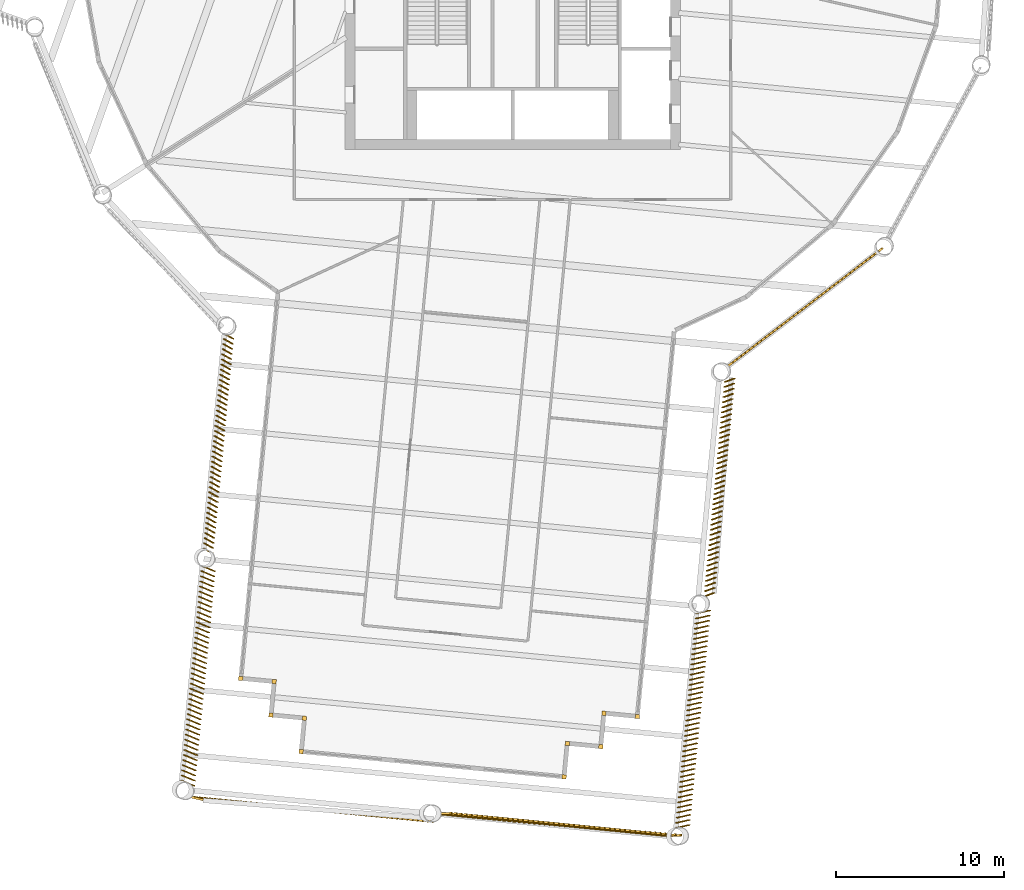
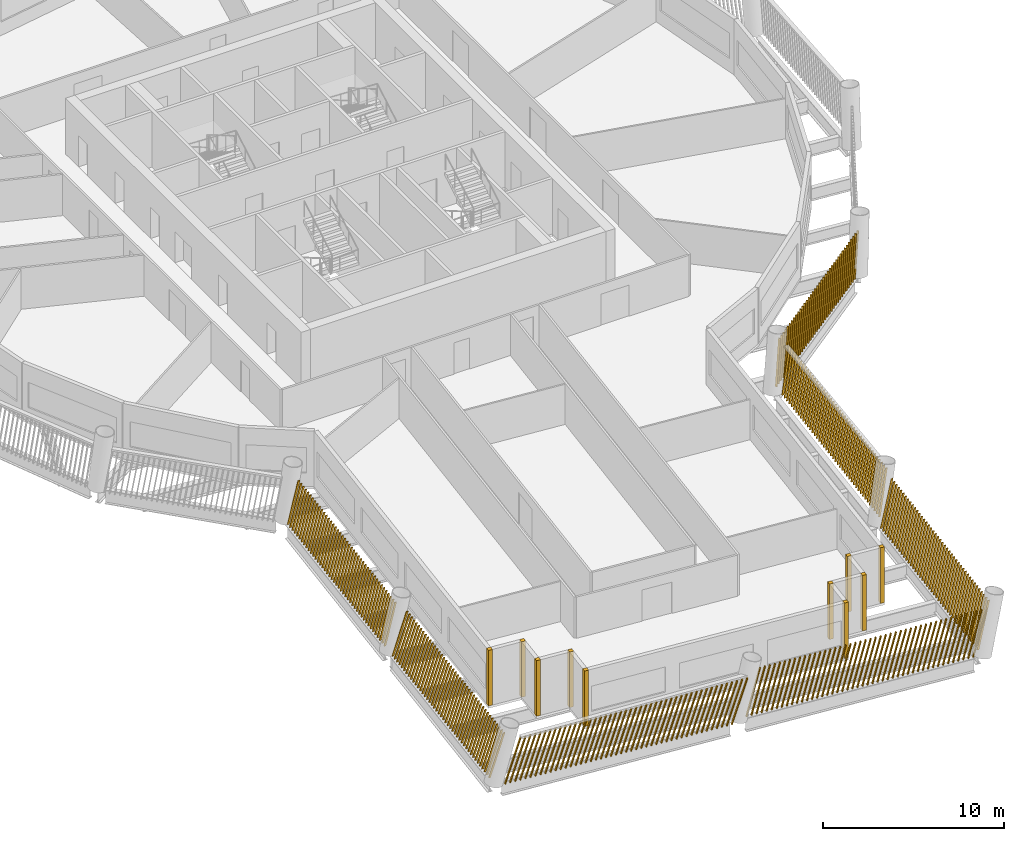
# One storey, part 11 of 15: 17 shading devices.
"""IFC4 building model written with IfcOpenShell, lengths in metres."""

from ifc_helpers import new_model, si_unit, direction, frame, frame_2d, origin, origin_2d, place, context, subcontext, project, spatial, rectangle, composite_profile, extrude, material, type_object, element, save


model = new_model("IFC4")

# Units and contexts
model_context = context("Model", 3, precision=1e-05, world=origin(), true_north=direction((0.0, 1.0)))
body_context = subcontext(model_context, "Body", "Model", "MODEL_VIEW")
ifc_project = project(units=[si_unit("LENGTHUNIT", "METRE"), si_unit("AREAUNIT", "SQUARE_METRE"), si_unit("VOLUMEUNIT", "CUBIC_METRE"), si_unit("PLANEANGLEUNIT", "RADIAN"), si_unit("MASSUNIT", "GRAM", prefix="KILO")], contexts=[model_context])

# Site, building, storey
site_placement = place(None, origin())
site = spatial("IfcSite", under=ifc_project, at=site_placement, CompositionType="ELEMENT")
building_placement = place(site_placement, origin())
building = spatial("IfcBuilding", under=site, at=building_placement, Name="Tarsis Ring Headquarters", CompositionType="ELEMENT")
storey_placement = place(building_placement, frame((0.0, 0.0, 204.300048828125)))
storey = spatial("IfcBuildingStorey", under=building, at=storey_placement, Name="L47", CompositionType="ELEMENT", Elevation=204.300048828125)

# Shading devices
ifc_material = material(Name="Terracotta baguette", Category="masonry")
shading_device_type_1 = type_object("IfcShadingDeviceType", Name="Terracotta baguette screen", PredefinedType="USERDEFINED", material=ifc_material)
shading_device_1_placement = place(storey_placement, frame((-17.167236328125, -23.965576171875, 0.0), z_axis=(0.0, 0.0, 1.0), x_axis=(-0.095483187314, -0.995439665449, 0.0)))
element("IfcShadingDevice", 1, at=shading_device_1_placement, inside=storey, type_object=shading_device_type_1, Name="Baguette screen L47-01", ObjectType="Terracotta baguette screen", PredefinedType="USERDEFINED", context=body_context, shape_type="SweptSolid", body=[
    extrude(composite_profile([rectangle(XDim=0.06005859375, YDim=0.1201171875, at=frame_2d((0.030029296875, 0.0))), rectangle(XDim=0.06005859375, YDim=0.1201171875, at=frame_2d((0.335693359375, 0.0))), rectangle(XDim=0.06005859375, YDim=0.1201171875, at=frame_2d((0.6416015625, 0.0))), rectangle(XDim=0.06005859375, YDim=0.1201171875, at=frame_2d((0.947265625, 0.0))), rectangle(XDim=0.06005859375, YDim=0.1201171875, at=frame_2d((1.253173828125, 0.0))), rectangle(XDim=0.06005859375, YDim=0.1201171875, at=frame_2d((1.558837890625, 0.0))), rectangle(XDim=0.06005859375, YDim=0.1201171875, at=frame_2d((1.864501953125, 0.0))), rectangle(XDim=0.06005859375, YDim=0.1201171875, at=frame_2d((2.17041015625, 0.0))), rectangle(XDim=0.06005859375, YDim=0.1201171875, at=frame_2d((2.47607421875, 0.0))), rectangle(XDim=0.06005859375, YDim=0.1201171875, at=frame_2d((2.781982421875, 0.0))), rectangle(XDim=0.06005859375, YDim=0.1201171875, at=frame_2d((3.087646484375, 0.0))), rectangle(XDim=0.06005859375, YDim=0.1201171875, at=frame_2d((3.393310546875, 0.0))), rectangle(XDim=0.06005859375, YDim=0.1201171875, at=frame_2d((3.69921875, 0.0))), rectangle(XDim=0.06005859375, YDim=0.1201171875, at=frame_2d((4.0048828125, 0.0))), rectangle(XDim=0.06005859375, YDim=0.1201171875, at=frame_2d((4.310791015625, 0.0))), rectangle(XDim=0.06005859375, YDim=0.1201171875, at=frame_2d((4.616455078125, 0.0))), rectangle(XDim=0.06005859375, YDim=0.1201171875, at=frame_2d((4.922119140625, 0.0))), rectangle(XDim=0.06005859375, YDim=0.1201171875, at=frame_2d((5.22802734375, 0.0))), rectangle(XDim=0.06005859375, YDim=0.1201171875, at=frame_2d((5.53369140625, 0.0))), rectangle(XDim=0.06005859375, YDim=0.1201171875, at=frame_2d((5.839599609375, 0.0))), rectangle(XDim=0.06005859375, YDim=0.1201171875, at=frame_2d((6.145263671875, 0.0))), rectangle(XDim=0.06005859375, YDim=0.1201171875, at=frame_2d((6.451171875, 0.0))), rectangle(XDim=0.06005859375, YDim=0.1201171875, at=frame_2d((6.7568359375, 0.0))), rectangle(XDim=0.06005859375, YDim=0.1201171875, at=frame_2d((7.0625, 0.0))), rectangle(XDim=0.06005859375, YDim=0.1201171875, at=frame_2d((7.368408203125, 0.0))), rectangle(XDim=0.06005859375, YDim=0.1201171875, at=frame_2d((7.674072265625, 0.0))), rectangle(XDim=0.06005859375, YDim=0.1201171875, at=frame_2d((7.97998046875, 0.0))), rectangle(XDim=0.06005859375, YDim=0.1201171875, at=frame_2d((8.28564453125, 0.0))), rectangle(XDim=0.06005859375, YDim=0.1201171875, at=frame_2d((8.59130859375, 0.0))), rectangle(XDim=0.06005859375, YDim=0.1201171875, at=frame_2d((8.897216796875, 0.0))), rectangle(XDim=0.06005859375, YDim=0.1201171875, at=frame_2d((9.202880859375, 0.0))), rectangle(XDim=0.06005859375, YDim=0.1201171875, at=frame_2d((9.5087890625, 0.0))), rectangle(XDim=0.06005859375, YDim=0.1201171875, at=frame_2d((9.814453125, 0.0))), rectangle(XDim=0.06005859375, YDim=0.1201171875, at=frame_2d((10.1201171875, 0.0))), rectangle(XDim=0.06005859375, YDim=0.1201171875, at=frame_2d((10.426025390625, 0.0))), rectangle(XDim=0.06005859375, YDim=0.1201171875, at=frame_2d((10.731689453125, 0.0))), rectangle(XDim=0.06005859375, YDim=0.1201171875, at=frame_2d((11.03759765625, 0.0))), rectangle(XDim=0.06005859375, YDim=0.1201171875, at=frame_2d((11.34326171875, 0.0))), rectangle(XDim=0.06005859375, YDim=0.1201171875, at=frame_2d((11.64892578125, 0.0))), rectangle(XDim=0.06005859375, YDim=0.1201171875, at=frame_2d((11.954833984375, 0.0))), rectangle(XDim=0.06005859375, YDim=0.1201171875, at=frame_2d((12.260498046875, 0.0))), rectangle(XDim=0.06005859375, YDim=0.1201171875, at=frame_2d((12.56640625, 0.0))), rectangle(XDim=0.06005859375, YDim=0.1201171875, at=frame_2d((12.8720703125, 0.0)))]), origin(), (0.080938171858, 0.178610548608, 0.980585174405), 3.00830078125),
])
shading_device_2_placement = place(storey_placement, frame((-18.494873046875, -37.804443359375, 0.0), z_axis=(0.0, 0.0, 1.0), x_axis=(-0.095483187314, -0.995439665449, 0.0)))
element("IfcShadingDevice", 2, at=shading_device_2_placement, inside=storey, type_object=shading_device_type_1, Name="Baguette screen L47-02", ObjectType="Terracotta baguette screen", PredefinedType="USERDEFINED", context=body_context, shape_type="SweptSolid", body=[
    extrude(composite_profile([rectangle(XDim=0.06005859375, YDim=0.1201171875, at=frame_2d((0.030029296875, 0.0))), rectangle(XDim=0.06005859375, YDim=0.1201171875, at=frame_2d((0.335693359375, 0.0))), rectangle(XDim=0.06005859375, YDim=0.1201171875, at=frame_2d((0.6416015625, 0.0))), rectangle(XDim=0.06005859375, YDim=0.1201171875, at=frame_2d((0.947265625, 0.0))), rectangle(XDim=0.06005859375, YDim=0.1201171875, at=frame_2d((1.253173828125, 0.0))), rectangle(XDim=0.06005859375, YDim=0.1201171875, at=frame_2d((1.558837890625, 0.0))), rectangle(XDim=0.06005859375, YDim=0.1201171875, at=frame_2d((1.864501953125, 0.0))), rectangle(XDim=0.06005859375, YDim=0.1201171875, at=frame_2d((2.17041015625, 0.0))), rectangle(XDim=0.06005859375, YDim=0.1201171875, at=frame_2d((2.47607421875, 0.0))), rectangle(XDim=0.06005859375, YDim=0.1201171875, at=frame_2d((2.781982421875, 0.0))), rectangle(XDim=0.06005859375, YDim=0.1201171875, at=frame_2d((3.087646484375, 0.0))), rectangle(XDim=0.06005859375, YDim=0.1201171875, at=frame_2d((3.393310546875, 0.0))), rectangle(XDim=0.06005859375, YDim=0.1201171875, at=frame_2d((3.69921875, 0.0))), rectangle(XDim=0.06005859375, YDim=0.1201171875, at=frame_2d((4.0048828125, 0.0))), rectangle(XDim=0.06005859375, YDim=0.1201171875, at=frame_2d((4.310791015625, 0.0))), rectangle(XDim=0.06005859375, YDim=0.1201171875, at=frame_2d((4.616455078125, 0.0))), rectangle(XDim=0.06005859375, YDim=0.1201171875, at=frame_2d((4.922119140625, 0.0))), rectangle(XDim=0.06005859375, YDim=0.1201171875, at=frame_2d((5.22802734375, 0.0))), rectangle(XDim=0.06005859375, YDim=0.1201171875, at=frame_2d((5.53369140625, 0.0))), rectangle(XDim=0.06005859375, YDim=0.1201171875, at=frame_2d((5.839599609375, 0.0))), rectangle(XDim=0.06005859375, YDim=0.1201171875, at=frame_2d((6.145263671875, 0.0))), rectangle(XDim=0.06005859375, YDim=0.1201171875, at=frame_2d((6.451171875, 0.0))), rectangle(XDim=0.06005859375, YDim=0.1201171875, at=frame_2d((6.7568359375, 0.0))), rectangle(XDim=0.06005859375, YDim=0.1201171875, at=frame_2d((7.0625, 0.0))), rectangle(XDim=0.06005859375, YDim=0.1201171875, at=frame_2d((7.368408203125, 0.0))), rectangle(XDim=0.06005859375, YDim=0.1201171875, at=frame_2d((7.674072265625, 0.0))), rectangle(XDim=0.06005859375, YDim=0.1201171875, at=frame_2d((7.97998046875, 0.0))), rectangle(XDim=0.06005859375, YDim=0.1201171875, at=frame_2d((8.28564453125, 0.0))), rectangle(XDim=0.06005859375, YDim=0.1201171875, at=frame_2d((8.59130859375, 0.0))), rectangle(XDim=0.06005859375, YDim=0.1201171875, at=frame_2d((8.897216796875, 0.0))), rectangle(XDim=0.06005859375, YDim=0.1201171875, at=frame_2d((9.202880859375, 0.0))), rectangle(XDim=0.06005859375, YDim=0.1201171875, at=frame_2d((9.5087890625, 0.0))), rectangle(XDim=0.06005859375, YDim=0.1201171875, at=frame_2d((9.814453125, 0.0))), rectangle(XDim=0.06005859375, YDim=0.1201171875, at=frame_2d((10.1201171875, 0.0))), rectangle(XDim=0.06005859375, YDim=0.1201171875, at=frame_2d((10.426025390625, 0.0))), rectangle(XDim=0.06005859375, YDim=0.1201171875, at=frame_2d((10.731689453125, 0.0))), rectangle(XDim=0.06005859375, YDim=0.1201171875, at=frame_2d((11.03759765625, 0.0))), rectangle(XDim=0.06005859375, YDim=0.1201171875, at=frame_2d((11.34326171875, 0.0))), rectangle(XDim=0.06005859375, YDim=0.1201171875, at=frame_2d((11.64892578125, 0.0))), rectangle(XDim=0.06005859375, YDim=0.1201171875, at=frame_2d((11.954833984375, 0.0))), rectangle(XDim=0.06005859375, YDim=0.1201171875, at=frame_2d((12.260498046875, 0.0))), rectangle(XDim=0.06005859375, YDim=0.1201171875, at=frame_2d((12.56640625, 0.0))), rectangle(XDim=0.06005859375, YDim=0.1201171875, at=frame_2d((12.8720703125, 0.0)))]), origin(), (0.078977121496, 0.251846893147, 0.964539142126), 3.058349609375),
])
shading_device_3_placement = place(storey_placement, frame((-19.312744140625, -51.56640625, 0.0), z_axis=(0.0, 0.0, 1.0), x_axis=(0.995435567193, -0.095499256953, 0.0)))
element("IfcShadingDevice", 3, at=shading_device_3_placement, inside=storey, type_object=shading_device_type_1, Name="Baguette screen L47-03", ObjectType="Terracotta baguette screen", PredefinedType="USERDEFINED", context=body_context, shape_type="SweptSolid", body=[
    extrude(composite_profile([rectangle(XDim=0.06005859375, YDim=0.1201171875, at=frame_2d((0.030029296875, 0.0))), rectangle(XDim=0.06005859375, YDim=0.1201171875, at=frame_2d((0.33544921875, 0.0))), rectangle(XDim=0.06005859375, YDim=0.1201171875, at=frame_2d((0.640625, 0.0))), rectangle(XDim=0.06005859375, YDim=0.1201171875, at=frame_2d((0.946044921875, 0.0))), rectangle(XDim=0.06005859375, YDim=0.1201171875, at=frame_2d((1.25146484375, 0.0))), rectangle(XDim=0.06005859375, YDim=0.1201171875, at=frame_2d((1.556640625, 0.0))), rectangle(XDim=0.06005859375, YDim=0.1201171875, at=frame_2d((1.862060546875, 0.0))), rectangle(XDim=0.06005859375, YDim=0.1201171875, at=frame_2d((2.16748046875, 0.0))), rectangle(XDim=0.06005859375, YDim=0.1201171875, at=frame_2d((2.47265625, 0.0))), rectangle(XDim=0.06005859375, YDim=0.1201171875, at=frame_2d((2.778076171875, 0.0))), rectangle(XDim=0.06005859375, YDim=0.1201171875, at=frame_2d((3.08349609375, 0.0))), rectangle(XDim=0.06005859375, YDim=0.1201171875, at=frame_2d((3.388671875, 0.0))), rectangle(XDim=0.06005859375, YDim=0.1201171875, at=frame_2d((3.694091796875, 0.0))), rectangle(XDim=0.06005859375, YDim=0.1201171875, at=frame_2d((3.99951171875, 0.0))), rectangle(XDim=0.06005859375, YDim=0.1201171875, at=frame_2d((4.3046875, 0.0))), rectangle(XDim=0.06005859375, YDim=0.1201171875, at=frame_2d((4.610107421875, 0.0))), rectangle(XDim=0.06005859375, YDim=0.1201171875, at=frame_2d((4.91552734375, 0.0))), rectangle(XDim=0.06005859375, YDim=0.1201171875, at=frame_2d((5.220703125, 0.0))), rectangle(XDim=0.06005859375, YDim=0.1201171875, at=frame_2d((5.526123046875, 0.0))), rectangle(XDim=0.06005859375, YDim=0.1201171875, at=frame_2d((5.83154296875, 0.0))), rectangle(XDim=0.06005859375, YDim=0.1201171875, at=frame_2d((6.13671875, 0.0))), rectangle(XDim=0.06005859375, YDim=0.1201171875, at=frame_2d((6.442138671875, 0.0))), rectangle(XDim=0.06005859375, YDim=0.1201171875, at=frame_2d((6.74755859375, 0.0))), rectangle(XDim=0.06005859375, YDim=0.1201171875, at=frame_2d((7.052734375, 0.0))), rectangle(XDim=0.06005859375, YDim=0.1201171875, at=frame_2d((7.358154296875, 0.0))), rectangle(XDim=0.06005859375, YDim=0.1201171875, at=frame_2d((7.66357421875, 0.0))), rectangle(XDim=0.06005859375, YDim=0.1201171875, at=frame_2d((7.96875, 0.0))), rectangle(XDim=0.06005859375, YDim=0.1201171875, at=frame_2d((8.274169921875, 0.0))), rectangle(XDim=0.06005859375, YDim=0.1201171875, at=frame_2d((8.57958984375, 0.0))), rectangle(XDim=0.06005859375, YDim=0.1201171875, at=frame_2d((8.884765625, 0.0))), rectangle(XDim=0.06005859375, YDim=0.1201171875, at=frame_2d((9.190185546875, 0.0))), rectangle(XDim=0.06005859375, YDim=0.1201171875, at=frame_2d((9.49560546875, 0.0))), rectangle(XDim=0.06005859375, YDim=0.1201171875, at=frame_2d((9.80078125, 0.0))), rectangle(XDim=0.06005859375, YDim=0.1201171875, at=frame_2d((10.106201171875, 0.0))), rectangle(XDim=0.06005859375, YDim=0.1201171875, at=frame_2d((10.41162109375, 0.0))), rectangle(XDim=0.06005859375, YDim=0.1201171875, at=frame_2d((10.716796875, 0.0))), rectangle(XDim=0.06005859375, YDim=0.1201171875, at=frame_2d((11.022216796875, 0.0))), rectangle(XDim=0.06005859375, YDim=0.1201171875, at=frame_2d((11.32763671875, 0.0))), rectangle(XDim=0.06005859375, YDim=0.1201171875, at=frame_2d((11.6328125, 0.0))), rectangle(XDim=0.06005859375, YDim=0.1201171875, at=frame_2d((11.938232421875, 0.0))), rectangle(XDim=0.06005859375, YDim=0.1201171875, at=frame_2d((12.24365234375, 0.0))), rectangle(XDim=0.06005859375, YDim=0.1201171875, at=frame_2d((12.548828125, 0.0))), rectangle(XDim=0.06005859375, YDim=0.1201171875, at=frame_2d((12.854248046875, 0.0))), rectangle(XDim=0.06005859375, YDim=0.1201171875, at=frame_2d((13.15966796875, 0.0))), rectangle(XDim=0.06005859375, YDim=0.1201171875, at=frame_2d((13.46484375, 0.0))), rectangle(XDim=0.06005859375, YDim=0.1201171875, at=frame_2d((13.770263671875, 0.0)))]), origin(), (0.289216352527, -0.037781108742, 0.956517898031), 3.083984375),
])
shading_device_4_placement = place(storey_placement, frame((-4.544677734375, -52.6064453125, 0.0), z_axis=(0.0, 0.0, 1.0), x_axis=(0.995435647943, -0.095497567448, 0.0)))
element("IfcShadingDevice", 4, at=shading_device_4_placement, inside=storey, type_object=shading_device_type_1, Name="Baguette screen L47-04", ObjectType="Terracotta baguette screen", PredefinedType="USERDEFINED", context=body_context, shape_type="SweptSolid", body=[
    extrude(composite_profile([rectangle(XDim=0.06005859375, YDim=0.1201171875, at=frame_2d((0.030029296875, 0.0))), rectangle(XDim=0.06005859375, YDim=0.1201171875, at=frame_2d((0.33544921875, 0.0))), rectangle(XDim=0.06005859375, YDim=0.1201171875, at=frame_2d((0.640625, 0.0))), rectangle(XDim=0.06005859375, YDim=0.1201171875, at=frame_2d((0.946044921875, 0.0))), rectangle(XDim=0.06005859375, YDim=0.1201171875, at=frame_2d((1.25146484375, 0.0))), rectangle(XDim=0.06005859375, YDim=0.1201171875, at=frame_2d((1.556640625, 0.0))), rectangle(XDim=0.06005859375, YDim=0.1201171875, at=frame_2d((1.862060546875, 0.0))), rectangle(XDim=0.06005859375, YDim=0.1201171875, at=frame_2d((2.16748046875, 0.0))), rectangle(XDim=0.06005859375, YDim=0.1201171875, at=frame_2d((2.47265625, 0.0))), rectangle(XDim=0.06005859375, YDim=0.1201171875, at=frame_2d((2.778076171875, 0.0))), rectangle(XDim=0.06005859375, YDim=0.1201171875, at=frame_2d((3.08349609375, 0.0))), rectangle(XDim=0.06005859375, YDim=0.1201171875, at=frame_2d((3.388671875, 0.0))), rectangle(XDim=0.06005859375, YDim=0.1201171875, at=frame_2d((3.694091796875, 0.0))), rectangle(XDim=0.06005859375, YDim=0.1201171875, at=frame_2d((3.99951171875, 0.0))), rectangle(XDim=0.06005859375, YDim=0.1201171875, at=frame_2d((4.3046875, 0.0))), rectangle(XDim=0.06005859375, YDim=0.1201171875, at=frame_2d((4.610107421875, 0.0))), rectangle(XDim=0.06005859375, YDim=0.1201171875, at=frame_2d((4.91552734375, 0.0))), rectangle(XDim=0.06005859375, YDim=0.1201171875, at=frame_2d((5.220703125, 0.0))), rectangle(XDim=0.06005859375, YDim=0.1201171875, at=frame_2d((5.526123046875, 0.0))), rectangle(XDim=0.06005859375, YDim=0.1201171875, at=frame_2d((5.83154296875, 0.0))), rectangle(XDim=0.06005859375, YDim=0.1201171875, at=frame_2d((6.13671875, 0.0))), rectangle(XDim=0.06005859375, YDim=0.1201171875, at=frame_2d((6.442138671875, 0.0))), rectangle(XDim=0.06005859375, YDim=0.1201171875, at=frame_2d((6.74755859375, 0.0))), rectangle(XDim=0.06005859375, YDim=0.1201171875, at=frame_2d((7.052734375, 0.0))), rectangle(XDim=0.06005859375, YDim=0.1201171875, at=frame_2d((7.358154296875, 0.0))), rectangle(XDim=0.06005859375, YDim=0.1201171875, at=frame_2d((7.66357421875, 0.0))), rectangle(XDim=0.06005859375, YDim=0.1201171875, at=frame_2d((7.96875, 0.0))), rectangle(XDim=0.06005859375, YDim=0.1201171875, at=frame_2d((8.274169921875, 0.0))), rectangle(XDim=0.06005859375, YDim=0.1201171875, at=frame_2d((8.57958984375, 0.0))), rectangle(XDim=0.06005859375, YDim=0.1201171875, at=frame_2d((8.884765625, 0.0))), rectangle(XDim=0.06005859375, YDim=0.1201171875, at=frame_2d((9.190185546875, 0.0))), rectangle(XDim=0.06005859375, YDim=0.1201171875, at=frame_2d((9.49560546875, 0.0))), rectangle(XDim=0.06005859375, YDim=0.1201171875, at=frame_2d((9.80078125, 0.0))), rectangle(XDim=0.06005859375, YDim=0.1201171875, at=frame_2d((10.106201171875, 0.0))), rectangle(XDim=0.06005859375, YDim=0.1201171875, at=frame_2d((10.41162109375, 0.0))), rectangle(XDim=0.06005859375, YDim=0.1201171875, at=frame_2d((10.716796875, 0.0))), rectangle(XDim=0.06005859375, YDim=0.1201171875, at=frame_2d((11.022216796875, 0.0))), rectangle(XDim=0.06005859375, YDim=0.1201171875, at=frame_2d((11.32763671875, 0.0))), rectangle(XDim=0.06005859375, YDim=0.1201171875, at=frame_2d((11.6328125, 0.0))), rectangle(XDim=0.06005859375, YDim=0.1201171875, at=frame_2d((11.938232421875, 0.0))), rectangle(XDim=0.06005859375, YDim=0.1201171875, at=frame_2d((12.24365234375, 0.0))), rectangle(XDim=0.06005859375, YDim=0.1201171875, at=frame_2d((12.548828125, 0.0))), rectangle(XDim=0.06005859375, YDim=0.1201171875, at=frame_2d((12.854248046875, 0.0))), rectangle(XDim=0.06005859375, YDim=0.1201171875, at=frame_2d((13.15966796875, 0.0))), rectangle(XDim=0.06005859375, YDim=0.1201171875, at=frame_2d((13.46484375, 0.0))), rectangle(XDim=0.06005859375, YDim=0.1201171875, at=frame_2d((13.770263671875, 0.0)))]), origin(), (0.286673672229, 0.042629258372, 0.957079386457), 3.082275390625),
])
shading_device_5_placement = place(storey_placement, frame((9.73779296875, -53.474365234375, 0.0), z_axis=(0.0, 0.0, 1.0), x_axis=(0.095500302755, 0.995420829549, 0.0)))
element("IfcShadingDevice", 5, at=shading_device_5_placement, inside=storey, type_object=shading_device_type_1, Name="Baguette screen L47-05", ObjectType="Terracotta baguette screen", PredefinedType="USERDEFINED", context=body_context, shape_type="SweptSolid", body=[
    extrude(composite_profile([rectangle(XDim=0.06005859375, YDim=0.1201171875, at=frame_2d((0.030029296875, 0.0))), rectangle(XDim=0.06005859375, YDim=0.1201171875, at=frame_2d((0.335693359375, 0.0))), rectangle(XDim=0.06005859375, YDim=0.1201171875, at=frame_2d((0.6416015625, 0.0))), rectangle(XDim=0.06005859375, YDim=0.1201171875, at=frame_2d((0.947265625, 0.0))), rectangle(XDim=0.06005859375, YDim=0.1201171875, at=frame_2d((1.253173828125, 0.0))), rectangle(XDim=0.06005859375, YDim=0.1201171875, at=frame_2d((1.558837890625, 0.0))), rectangle(XDim=0.06005859375, YDim=0.1201171875, at=frame_2d((1.864501953125, 0.0))), rectangle(XDim=0.06005859375, YDim=0.1201171875, at=frame_2d((2.17041015625, 0.0))), rectangle(XDim=0.06005859375, YDim=0.1201171875, at=frame_2d((2.47607421875, 0.0))), rectangle(XDim=0.06005859375, YDim=0.1201171875, at=frame_2d((2.781982421875, 0.0))), rectangle(XDim=0.06005859375, YDim=0.1201171875, at=frame_2d((3.087646484375, 0.0))), rectangle(XDim=0.06005859375, YDim=0.1201171875, at=frame_2d((3.393310546875, 0.0))), rectangle(XDim=0.06005859375, YDim=0.1201171875, at=frame_2d((3.69921875, 0.0))), rectangle(XDim=0.06005859375, YDim=0.1201171875, at=frame_2d((4.0048828125, 0.0))), rectangle(XDim=0.06005859375, YDim=0.1201171875, at=frame_2d((4.310791015625, 0.0))), rectangle(XDim=0.06005859375, YDim=0.1201171875, at=frame_2d((4.616455078125, 0.0))), rectangle(XDim=0.06005859375, YDim=0.1201171875, at=frame_2d((4.922119140625, 0.0))), rectangle(XDim=0.06005859375, YDim=0.1201171875, at=frame_2d((5.22802734375, 0.0))), rectangle(XDim=0.06005859375, YDim=0.1201171875, at=frame_2d((5.53369140625, 0.0))), rectangle(XDim=0.06005859375, YDim=0.1201171875, at=frame_2d((5.839599609375, 0.0))), rectangle(XDim=0.06005859375, YDim=0.1201171875, at=frame_2d((6.145263671875, 0.0))), rectangle(XDim=0.06005859375, YDim=0.1201171875, at=frame_2d((6.451171875, 0.0))), rectangle(XDim=0.06005859375, YDim=0.1201171875, at=frame_2d((6.7568359375, 0.0))), rectangle(XDim=0.06005859375, YDim=0.1201171875, at=frame_2d((7.0625, 0.0))), rectangle(XDim=0.06005859375, YDim=0.1201171875, at=frame_2d((7.368408203125, 0.0))), rectangle(XDim=0.06005859375, YDim=0.1201171875, at=frame_2d((7.674072265625, 0.0))), rectangle(XDim=0.06005859375, YDim=0.1201171875, at=frame_2d((7.97998046875, 0.0))), rectangle(XDim=0.06005859375, YDim=0.1201171875, at=frame_2d((8.28564453125, 0.0))), rectangle(XDim=0.06005859375, YDim=0.1201171875, at=frame_2d((8.59130859375, 0.0))), rectangle(XDim=0.06005859375, YDim=0.1201171875, at=frame_2d((8.897216796875, 0.0))), rectangle(XDim=0.06005859375, YDim=0.1201171875, at=frame_2d((9.202880859375, 0.0))), rectangle(XDim=0.06005859375, YDim=0.1201171875, at=frame_2d((9.5087890625, 0.0))), rectangle(XDim=0.06005859375, YDim=0.1201171875, at=frame_2d((9.814453125, 0.0))), rectangle(XDim=0.06005859375, YDim=0.1201171875, at=frame_2d((10.1201171875, 0.0))), rectangle(XDim=0.06005859375, YDim=0.1201171875, at=frame_2d((10.426025390625, 0.0))), rectangle(XDim=0.06005859375, YDim=0.1201171875, at=frame_2d((10.731689453125, 0.0))), rectangle(XDim=0.06005859375, YDim=0.1201171875, at=frame_2d((11.03759765625, 0.0))), rectangle(XDim=0.06005859375, YDim=0.1201171875, at=frame_2d((11.34326171875, 0.0))), rectangle(XDim=0.06005859375, YDim=0.1201171875, at=frame_2d((11.64892578125, 0.0))), rectangle(XDim=0.06005859375, YDim=0.1201171875, at=frame_2d((11.954833984375, 0.0))), rectangle(XDim=0.06005859375, YDim=0.1201171875, at=frame_2d((12.260498046875, 0.0))), rectangle(XDim=0.06005859375, YDim=0.1201171875, at=frame_2d((12.56640625, 0.0))), rectangle(XDim=0.06005859375, YDim=0.1201171875, at=frame_2d((12.8720703125, 0.0)))]), origin(), (0.083180771424, -0.250485242977, 0.964540358055), 3.058349609375),
])
shading_device_6_placement = place(storey_placement, frame((11.438720703125, -39.67138671875, 0.0), z_axis=(0.0, 0.0, 1.0), x_axis=(0.095500302755, 0.995420829549, 0.0)))
element("IfcShadingDevice", 6, at=shading_device_6_placement, inside=storey, type_object=shading_device_type_1, Name="Baguette screen L47-06", ObjectType="Terracotta baguette screen", PredefinedType="USERDEFINED", context=body_context, shape_type="SweptSolid", body=[
    extrude(composite_profile([rectangle(XDim=0.06005859375, YDim=0.1201171875, at=frame_2d((0.030029296875, 0.0))), rectangle(XDim=0.06005859375, YDim=0.1201171875, at=frame_2d((0.335693359375, 0.0))), rectangle(XDim=0.06005859375, YDim=0.1201171875, at=frame_2d((0.6416015625, 0.0))), rectangle(XDim=0.06005859375, YDim=0.1201171875, at=frame_2d((0.947265625, 0.0))), rectangle(XDim=0.06005859375, YDim=0.1201171875, at=frame_2d((1.253173828125, 0.0))), rectangle(XDim=0.06005859375, YDim=0.1201171875, at=frame_2d((1.558837890625, 0.0))), rectangle(XDim=0.06005859375, YDim=0.1201171875, at=frame_2d((1.864501953125, 0.0))), rectangle(XDim=0.06005859375, YDim=0.1201171875, at=frame_2d((2.17041015625, 0.0))), rectangle(XDim=0.06005859375, YDim=0.1201171875, at=frame_2d((2.47607421875, 0.0))), rectangle(XDim=0.06005859375, YDim=0.1201171875, at=frame_2d((2.781982421875, 0.0))), rectangle(XDim=0.06005859375, YDim=0.1201171875, at=frame_2d((3.087646484375, 0.0))), rectangle(XDim=0.06005859375, YDim=0.1201171875, at=frame_2d((3.393310546875, 0.0))), rectangle(XDim=0.06005859375, YDim=0.1201171875, at=frame_2d((3.69921875, 0.0))), rectangle(XDim=0.06005859375, YDim=0.1201171875, at=frame_2d((4.0048828125, 0.0))), rectangle(XDim=0.06005859375, YDim=0.1201171875, at=frame_2d((4.310791015625, 0.0))), rectangle(XDim=0.06005859375, YDim=0.1201171875, at=frame_2d((4.616455078125, 0.0))), rectangle(XDim=0.06005859375, YDim=0.1201171875, at=frame_2d((4.922119140625, 0.0))), rectangle(XDim=0.06005859375, YDim=0.1201171875, at=frame_2d((5.22802734375, 0.0))), rectangle(XDim=0.06005859375, YDim=0.1201171875, at=frame_2d((5.53369140625, 0.0))), rectangle(XDim=0.06005859375, YDim=0.1201171875, at=frame_2d((5.839599609375, 0.0))), rectangle(XDim=0.06005859375, YDim=0.1201171875, at=frame_2d((6.145263671875, 0.0))), rectangle(XDim=0.06005859375, YDim=0.1201171875, at=frame_2d((6.451171875, 0.0))), rectangle(XDim=0.06005859375, YDim=0.1201171875, at=frame_2d((6.7568359375, 0.0))), rectangle(XDim=0.06005859375, YDim=0.1201171875, at=frame_2d((7.0625, 0.0))), rectangle(XDim=0.06005859375, YDim=0.1201171875, at=frame_2d((7.368408203125, 0.0))), rectangle(XDim=0.06005859375, YDim=0.1201171875, at=frame_2d((7.674072265625, 0.0))), rectangle(XDim=0.06005859375, YDim=0.1201171875, at=frame_2d((7.97998046875, 0.0))), rectangle(XDim=0.06005859375, YDim=0.1201171875, at=frame_2d((8.28564453125, 0.0))), rectangle(XDim=0.06005859375, YDim=0.1201171875, at=frame_2d((8.59130859375, 0.0))), rectangle(XDim=0.06005859375, YDim=0.1201171875, at=frame_2d((8.897216796875, 0.0))), rectangle(XDim=0.06005859375, YDim=0.1201171875, at=frame_2d((9.202880859375, 0.0))), rectangle(XDim=0.06005859375, YDim=0.1201171875, at=frame_2d((9.5087890625, 0.0))), rectangle(XDim=0.06005859375, YDim=0.1201171875, at=frame_2d((9.814453125, 0.0))), rectangle(XDim=0.06005859375, YDim=0.1201171875, at=frame_2d((10.1201171875, 0.0))), rectangle(XDim=0.06005859375, YDim=0.1201171875, at=frame_2d((10.426025390625, 0.0))), rectangle(XDim=0.06005859375, YDim=0.1201171875, at=frame_2d((10.731689453125, 0.0))), rectangle(XDim=0.06005859375, YDim=0.1201171875, at=frame_2d((11.03759765625, 0.0))), rectangle(XDim=0.06005859375, YDim=0.1201171875, at=frame_2d((11.34326171875, 0.0))), rectangle(XDim=0.06005859375, YDim=0.1201171875, at=frame_2d((11.64892578125, 0.0))), rectangle(XDim=0.06005859375, YDim=0.1201171875, at=frame_2d((11.954833984375, 0.0))), rectangle(XDim=0.06005859375, YDim=0.1201171875, at=frame_2d((12.260498046875, 0.0))), rectangle(XDim=0.06005859375, YDim=0.1201171875, at=frame_2d((12.56640625, 0.0))), rectangle(XDim=0.06005859375, YDim=0.1201171875, at=frame_2d((12.8720703125, 0.0)))]), origin(), (0.085988963034, -0.177179161712, 0.980414934041), 3.0087890625),
])
shading_device_7_placement = place(storey_placement, frame((12.742919921875, -25.991455078125, 0.0), z_axis=(0.0, 0.0, 1.0), x_axis=(0.795246880087, 0.606272381986, 0.0)))
element("IfcShadingDevice", 7, at=shading_device_7_placement, inside=storey, type_object=shading_device_type_1, Name="Baguette screen L47-07", ObjectType="Terracotta baguette screen", PredefinedType="USERDEFINED", context=body_context, shape_type="SweptSolid", body=[
    extrude(composite_profile([rectangle(XDim=0.06005859375, YDim=0.1201171875, at=frame_2d((0.030029296875, 0.0))), rectangle(XDim=0.06005859375, YDim=0.1201171875, at=frame_2d((0.33251953125, 0.0))), rectangle(XDim=0.06005859375, YDim=0.1201171875, at=frame_2d((0.634765625, 0.0))), rectangle(XDim=0.06005859375, YDim=0.1201171875, at=frame_2d((0.937255859375, 0.0))), rectangle(XDim=0.06005859375, YDim=0.1201171875, at=frame_2d((1.239501953125, 0.0))), rectangle(XDim=0.06005859375, YDim=0.1201171875, at=frame_2d((1.5419921875, 0.0))), rectangle(XDim=0.06005859375, YDim=0.1201171875, at=frame_2d((1.844482421875, 0.0))), rectangle(XDim=0.06005859375, YDim=0.1201171875, at=frame_2d((2.146728515625, 0.0))), rectangle(XDim=0.06005859375, YDim=0.1201171875, at=frame_2d((2.44921875, 0.0))), rectangle(XDim=0.06005859375, YDim=0.1201171875, at=frame_2d((2.751708984375, 0.0))), rectangle(XDim=0.06005859375, YDim=0.1201171875, at=frame_2d((3.053955078125, 0.0))), rectangle(XDim=0.06005859375, YDim=0.1201171875, at=frame_2d((3.3564453125, 0.0))), rectangle(XDim=0.06005859375, YDim=0.1201171875, at=frame_2d((3.65869140625, 0.0))), rectangle(XDim=0.06005859375, YDim=0.1201171875, at=frame_2d((3.961181640625, 0.0))), rectangle(XDim=0.06005859375, YDim=0.1201171875, at=frame_2d((4.263671875, 0.0))), rectangle(XDim=0.06005859375, YDim=0.1201171875, at=frame_2d((4.56591796875, 0.0))), rectangle(XDim=0.06005859375, YDim=0.1201171875, at=frame_2d((4.868408203125, 0.0))), rectangle(XDim=0.06005859375, YDim=0.1201171875, at=frame_2d((5.1708984375, 0.0))), rectangle(XDim=0.06005859375, YDim=0.1201171875, at=frame_2d((5.47314453125, 0.0))), rectangle(XDim=0.06005859375, YDim=0.1201171875, at=frame_2d((5.775634765625, 0.0))), rectangle(XDim=0.06005859375, YDim=0.1201171875, at=frame_2d((6.077880859375, 0.0))), rectangle(XDim=0.06005859375, YDim=0.1201171875, at=frame_2d((6.38037109375, 0.0))), rectangle(XDim=0.06005859375, YDim=0.1201171875, at=frame_2d((6.682861328125, 0.0))), rectangle(XDim=0.06005859375, YDim=0.1201171875, at=frame_2d((6.985107421875, 0.0))), rectangle(XDim=0.06005859375, YDim=0.1201171875, at=frame_2d((7.28759765625, 0.0))), rectangle(XDim=0.06005859375, YDim=0.1201171875, at=frame_2d((7.590087890625, 0.0))), rectangle(XDim=0.06005859375, YDim=0.1201171875, at=frame_2d((7.892333984375, 0.0))), rectangle(XDim=0.06005859375, YDim=0.1201171875, at=frame_2d((8.19482421875, 0.0))), rectangle(XDim=0.06005859375, YDim=0.1201171875, at=frame_2d((8.4970703125, 0.0))), rectangle(XDim=0.06005859375, YDim=0.1201171875, at=frame_2d((8.799560546875, 0.0))), rectangle(XDim=0.06005859375, YDim=0.1201171875, at=frame_2d((9.10205078125, 0.0))), rectangle(XDim=0.06005859375, YDim=0.1201171875, at=frame_2d((9.404296875, 0.0))), rectangle(XDim=0.06005859375, YDim=0.1201171875, at=frame_2d((9.706787109375, 0.0))), rectangle(XDim=0.06005859375, YDim=0.1201171875, at=frame_2d((10.00927734375, 0.0))), rectangle(XDim=0.06005859375, YDim=0.1201171875, at=frame_2d((10.3115234375, 0.0))), rectangle(XDim=0.06005859375, YDim=0.1201171875, at=frame_2d((10.614013671875, 0.0))), rectangle(XDim=0.06005859375, YDim=0.1201171875, at=frame_2d((10.916259765625, 0.0))), rectangle(XDim=0.06005859375, YDim=0.1201171875, at=frame_2d((11.21875, 0.0)))]), origin(), (0.159215172442, 0.001335114251, 0.987243002677), 2.988037109375),
])
shading_device_type_2 = type_object("IfcShadingDeviceType", Name="Terracotta corner baguette 250x250", PredefinedType="USERDEFINED", material=ifc_material)
for number, where, z_axis, x_axis, name in (
    (8, (-16.20166015625, -44.53125, 0.0), (0.0, 0.0, 1.0), (-0.095498253121, -0.995429597536, 0.0), "Corner baguette L47-07"),
    (9, (-14.2109375, -44.72216796875, 0.0), (0.0, 0.0, 1.0), (0.995429620871, -0.095498009891, 0.0), "Corner baguette L47-08"),
    (10, (-14.40185546875, -46.713134765625, 0.0), (0.0, 0.0, 1.0), (-0.095498513723, -0.995429572535, 0.0), "Corner baguette L47-09"),
    (11, (-12.410888671875, -46.904052734375, 0.0), (0.0, 0.0, 1.0), (0.995429572535, -0.095498513723, 0.0), "Corner baguette L47-10"),
    (12, (-12.60205078125, -48.89501953125, 0.0), (0.0, 0.0, 1.0), (-0.095497957771, -0.995429625871, 0.0), "Corner baguette L47-11"),
    (13, (3.075927734375, -50.399169921875, 0.0), (0.0, 0.0, 1.0), (0.995429597536, -0.095498253121, 0.0), "Corner baguette L47-12"),
    (14, (3.26708984375, -48.408203125, 0.0), (0.0, 0.0, 1.0), (0.095498513723, 0.995429572535, 0.0), "Corner baguette L47-13"),
    (15, (5.2578125, -48.59912109375, 0.0), (0.0, 0.0, 1.0), (0.995429620871, -0.095498009891, 0.0), "Corner baguette L47-14"),
    (16, (5.448974609375, -46.6083984375, 0.0), (0.0, 0.0, 1.0), (0.095498513723, 0.995429572535, 0.0), "Corner baguette L47-15"),
    (17, (7.439697265625, -46.79931640625, 0.0), (0.0, 0.0, 1.0), (0.995429572535, -0.095498513723, 0.0), "Corner baguette L47-16"),
):
    element("IfcShadingDevice", number, at=place(storey_placement, frame(where, z_axis=z_axis, x_axis=x_axis)), inside=storey, type_object=shading_device_type_2, Name=name, ObjectType="Terracotta corner baguette", PredefinedType="USERDEFINED", context=body_context, shape_type="SweptSolid", body=[
        extrude(rectangle(XDim=0.25, YDim=0.25, at=origin_2d()), origin(), (0.0, 0.0, 1.0), 3.739990234375),
    ])

save(model, "model.ifc")
